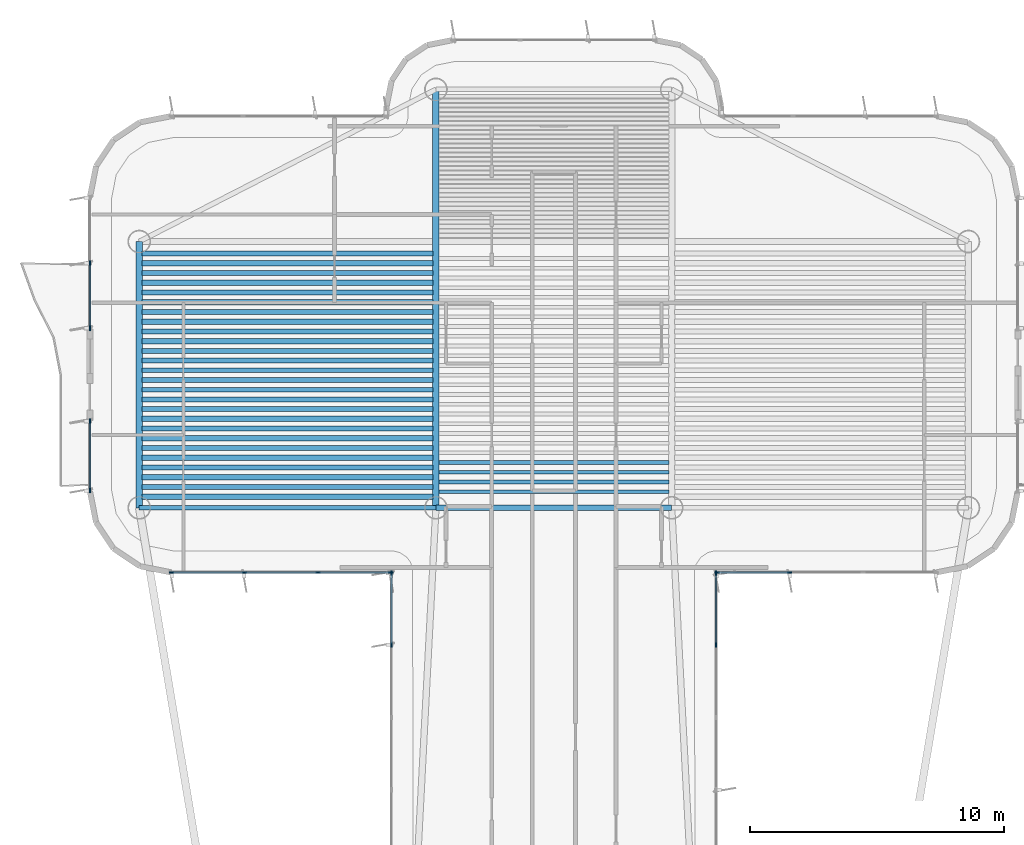
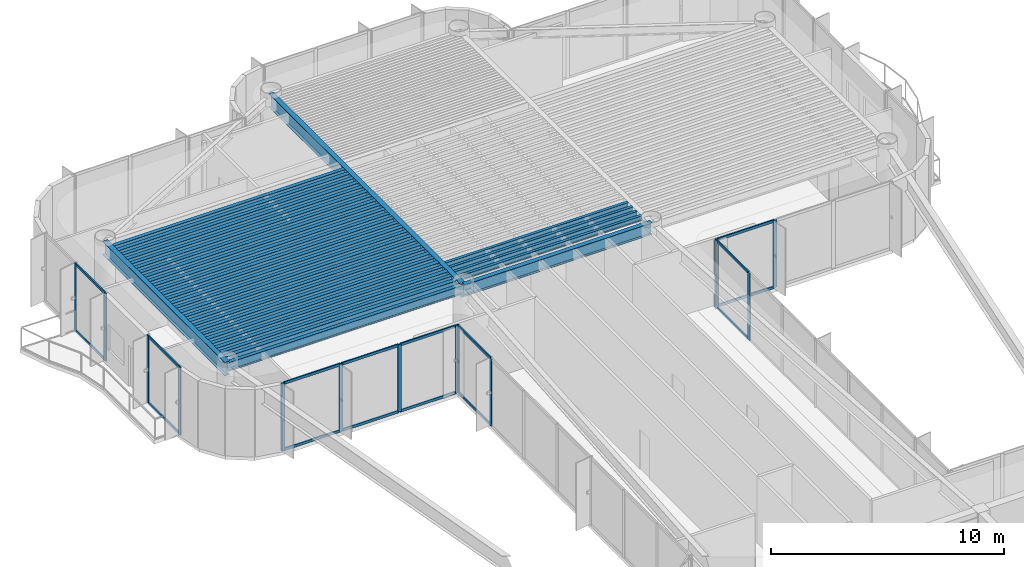
# One storey, part 5 of 15: 34 beams, 30 members, 6 elements without a shape of their own.
"""IFC4 building model written with IfcOpenShell, lengths in metres."""

from ifc_helpers import new_model, si_unit, direction, frame, origin, origin_2d, place, context, subcontext, project, spatial, rectangle, i_section, extrude, source, transform, mapped, material, layer, layer_set, material_profile, profile_set, type_object, element, aggregate, save


model = new_model("IFC4")

# Units and contexts
model_context = context("Model", 3, precision=1e-05, world=origin(), true_north=direction((0.0, 1.0)))
body_context = subcontext(model_context, "Body", "Model", "MODEL_VIEW")
ifc_project = project(units=[si_unit("LENGTHUNIT", "METRE"), si_unit("AREAUNIT", "SQUARE_METRE"), si_unit("VOLUMEUNIT", "CUBIC_METRE"), si_unit("PLANEANGLEUNIT", "RADIAN"), si_unit("MASSUNIT", "GRAM", prefix="KILO")], contexts=[model_context])

# Site, building, storey
site_placement = place(None, origin())
site = spatial("IfcSite", under=ifc_project, at=site_placement, CompositionType="ELEMENT")
building_placement = place(site_placement, origin())
building = spatial("IfcBuilding", under=site, at=building_placement, Name="Brelvock Crest Care Tower", CompositionType="ELEMENT")
storey_placement = place(building_placement, frame((0.0, 0.0, 272.159912109375)))
storey = spatial("IfcBuildingStorey", under=building, at=storey_placement, Name="L69", CompositionType="ELEMENT", Elevation=272.159912109375)

# Beams
ifc_material_1 = material(Name="Steel Grade 350", Category="steel")
ifc_material_profile_1 = material_profile(ifc_material_1, i_section(OverallWidth=0.25, OverallDepth=0.699951171875, WebThickness=0.011962890625, FlangeThickness=0.02001953125, at=origin_2d()), Name="700WB150")
ifc_profile_set_1 = profile_set([ifc_material_profile_1], Name="Steel Grade 350")
beam_type_1 = type_object("IfcBeamType", Name="BM-G4", PredefinedType="BEAM", material=ifc_profile_set_1)
shared_shape_1 = source(origin(), body_context, "Body", "SweptSolid", [
    extrude(i_section(OverallWidth=0.25, OverallDepth=0.699951171875, WebThickness=0.011962890625, FlangeThickness=0.02001953125, at=origin_2d()), origin(), (0.0, 0.0, 1.0), 10.5),
])
beam_1_placement = place(storey_placement, frame((19.64990234375, 43.949951171875, 3.18017578125), z_axis=(0.0, 1.0, 0.0), x_axis=(-1.0, 0.0, 0.0)))
element("IfcBeam", 1, at=beam_1_placement, inside=storey, type_object=beam_type_1, Name="BM-TWR-L69-01", PredefinedType="BEAM", context=body_context, shape_type="MappedRepresentation", body=[
    mapped(shared_shape_1, transform((0.0, 0.0, 0.0), x_axis=(1.0, 0.0, 0.0), y_axis=(0.0, 1.0, 0.0), z_axis=(0.0, 0.0, 1.0), scale=1.0)),
])
ifc_material_profile_2 = material_profile(ifc_material_1, i_section(OverallWidth=0.22900390625, OverallDepth=0.612060546875, WebThickness=0.011962890625, FlangeThickness=0.01953125, FilletRadius=0.013916015625, at=origin_2d()), Name="610UB125")
ifc_profile_set_2 = profile_set([ifc_material_profile_2], Name="Steel Grade 350")
beam_type_2 = type_object("IfcBeamType", Name="BM-G1", PredefinedType="BEAM", material=ifc_profile_set_2)
shared_shape_2 = source(origin(), body_context, "Body", "SweptSolid", [
    extrude(i_section(OverallWidth=0.22900390625, OverallDepth=0.612060546875, WebThickness=0.011962890625, FlangeThickness=0.01953125, FilletRadius=0.013916015625, at=origin_2d()), origin(), (0.0, 0.0, 1.0), 9.2998046875),
])
beam_2_placement = place(storey_placement, frame((31.35009765625, 43.949951171875, 3.22412109375), z_axis=(1.0, 0.0, 0.0), x_axis=(0.0, 1.0, 0.0)))
element("IfcBeam", 2, at=beam_2_placement, inside=storey, type_object=beam_type_2, Name="BM-TWR-L69-05", PredefinedType="BEAM", context=body_context, shape_type="MappedRepresentation", body=[
    mapped(shared_shape_2, transform((0.0, 0.0, 0.0), x_axis=(1.0, 0.0, 0.0), y_axis=(0.0, 1.0, 0.0), z_axis=(0.0, 0.0, 1.0), scale=1.0)),
])
ifc_material_profile_3 = material_profile(ifc_material_1, i_section(OverallWidth=0.14599609375, OverallDepth=0.256103515625, WebThickness=0.00634765625, FlangeThickness=0.010986328125, FilletRadius=0.0087890625, at=origin_2d()), Name="250UB37.3")
ifc_profile_set_3 = profile_set([ifc_material_profile_3], Name="Steel Grade 350")
beam_type_3 = type_object("IfcBeamType", Name="BM-J3", PredefinedType="JOIST", material=ifc_profile_set_3)
shared_shape_3 = source(origin(), body_context, "Body", "SweptSolid", [
    extrude(i_section(OverallWidth=0.14599609375, OverallDepth=0.256103515625, WebThickness=0.00634765625, FlangeThickness=0.010986328125, FilletRadius=0.0087890625, at=origin_2d()), origin(), (0.0, 0.0, 1.0), 9.06982421875),
])
for number, where, z_axis, x_axis, name in (
    (3, (31.465087890625, 44.58251953125, 3.402099609375), (1.0, 0.0, 0.0), (0.0, 1.0, 0.0), "BM-JH-L69-1"),
    (4, (31.465087890625, 44.9658203125, 3.402099609375), (1.0, 0.0, 0.0), (0.0, 1.0, 0.0), "BM-JH-L69-2"),
    (5, (31.465087890625, 45.34912109375, 3.402099609375), (1.0, 0.0, 0.0), (0.0, 1.0, 0.0), "BM-JH-L69-3"),
    (6, (31.465087890625, 45.732421875, 3.402099609375), (1.0, 0.0, 0.0), (0.0, 1.0, 0.0), "BM-JH-L69-4"),
):
    element("IfcBeam", number, at=place(storey_placement, frame(where, z_axis=z_axis, x_axis=x_axis)), inside=storey, type_object=beam_type_3, Name=name, PredefinedType="JOIST", context=body_context, shape_type="MappedRepresentation", body=[
        mapped(shared_shape_3, transform((0.0, 0.0, 0.0), x_axis=(1.0, 0.0, 0.0), y_axis=(0.0, 1.0, 0.0), z_axis=(0.0, 0.0, 1.0), scale=1.0)),
    ])
ifc_material_profile_4 = material_profile(ifc_material_1, i_section(OverallWidth=0.19091796875, OverallDepth=0.4599609375, WebThickness=0.010009765625, FlangeThickness=0.01611328125, FilletRadius=0.011474609375, at=origin_2d()), Name="460UB82.1")
ifc_profile_set_4 = profile_set([ifc_material_profile_4], Name="Steel Grade 350")
beam_type_4 = type_object("IfcBeamType", Name="BM-G3", PredefinedType="BEAM", material=ifc_profile_set_4)
shared_shape_4 = source(origin(), body_context, "Body", "SweptSolid", [
    extrude(i_section(OverallWidth=0.19091796875, OverallDepth=0.4599609375, WebThickness=0.010009765625, FlangeThickness=0.01611328125, FilletRadius=0.011474609375, at=origin_2d()), origin(), (0.0, 0.0, 1.0), 11.47021484375),
])
for number, where, z_axis, x_axis, name in (
    (7, (19.764892578125, 44.7744140625, 3.300048828125), (1.0, 0.0, 0.0), (0.0, 1.0, 0.0), "BM-JW-L69-2"),
    (8, (19.764892578125, 45.540771484375, 3.300048828125), (1.0, 0.0, 0.0), (0.0, 1.0, 0.0), "BM-JW-L69-4"),
    (9, (19.764892578125, 46.307373046875, 3.300048828125), (1.0, 0.0, 0.0), (0.0, 1.0, 0.0), "BM-JW-L69-6"),
    (10, (19.764892578125, 47.07373046875, 3.300048828125), (1.0, 0.0, 0.0), (0.0, 1.0, 0.0), "BM-JW-L69-8"),
    (11, (19.764892578125, 47.84033203125, 3.300048828125), (1.0, 0.0, 0.0), (0.0, 1.0, 0.0), "BM-JW-L69-10"),
    (12, (19.764892578125, 48.606689453125, 3.300048828125), (1.0, 0.0, 0.0), (0.0, 1.0, 0.0), "BM-JW-L69-12"),
    (13, (19.764892578125, 49.373291015625, 3.300048828125), (1.0, 0.0, 0.0), (0.0, 1.0, 0.0), "BM-JW-L69-14"),
    (14, (19.764892578125, 50.139892578125, 3.300048828125), (1.0, 0.0, 0.0), (0.0, 1.0, 0.0), "BM-JW-L69-16"),
    (15, (19.764892578125, 50.90625, 3.300048828125), (1.0, 0.0, 0.0), (0.0, 1.0, 0.0), "BM-JW-L69-18"),
    (16, (19.764892578125, 51.6728515625, 3.300048828125), (1.0, 0.0, 0.0), (0.0, 1.0, 0.0), "BM-JW-L69-20"),
    (17, (19.764892578125, 52.439208984375, 3.300048828125), (1.0, 0.0, 0.0), (0.0, 1.0, 0.0), "BM-JW-L69-22"),
    (18, (19.764892578125, 53.205810546875, 3.300048828125), (1.0, 0.0, 0.0), (0.0, 1.0, 0.0), "BM-JW-L69-24"),
    (19, (19.764892578125, 53.972412109375, 3.300048828125), (1.0, 0.0, 0.0), (0.0, 1.0, 0.0), "BM-JW-L69-26"),
):
    element("IfcBeam", number, at=place(storey_placement, frame(where, z_axis=z_axis, x_axis=x_axis)), inside=storey, type_object=beam_type_4, Name=name, PredefinedType="BEAM", context=body_context, shape_type="MappedRepresentation", body=[
        mapped(shared_shape_4, transform((0.0, 0.0, 0.0), x_axis=(1.0, 0.0, 0.0), y_axis=(0.0, 1.0, 0.0), z_axis=(0.0, 0.0, 1.0), scale=1.0)),
    ])
ifc_material_profile_5 = material_profile(ifc_material_1, i_section(OverallWidth=0.208984375, OverallDepth=0.532958984375, WebThickness=0.01025390625, FlangeThickness=0.015625, FilletRadius=0.013916015625, at=origin_2d()), Name="530UB92.4")
ifc_profile_set_5 = profile_set([ifc_material_profile_5], Name="Steel Grade 350")
beam_type_5 = type_object("IfcBeamType", Name="BM-G2", PredefinedType="BEAM", material=ifc_profile_set_5)
shared_shape_5 = source(origin(), body_context, "Body", "SweptSolid", [
    extrude(i_section(OverallWidth=0.208984375, OverallDepth=0.532958984375, WebThickness=0.01025390625, FlangeThickness=0.015625, FilletRadius=0.013916015625, at=origin_2d()), origin(), (0.0, 0.0, 1.0), 11.47021484375),
])
for number, where, z_axis, x_axis, name in (
    (20, (19.764892578125, 44.39111328125, 3.263671875), (1.0, 0.0, 0.0), (0.0, 1.0, 0.0), "BM-JW-L69-1"),
    (21, (19.764892578125, 45.157470703125, 3.263671875), (1.0, 0.0, 0.0), (0.0, 1.0, 0.0), "BM-JW-L69-3"),
    (22, (19.764892578125, 45.924072265625, 3.263671875), (1.0, 0.0, 0.0), (0.0, 1.0, 0.0), "BM-JW-L69-5"),
    (23, (19.764892578125, 46.6904296875, 3.263671875), (1.0, 0.0, 0.0), (0.0, 1.0, 0.0), "BM-JW-L69-7"),
    (24, (19.764892578125, 47.45703125, 3.263671875), (1.0, 0.0, 0.0), (0.0, 1.0, 0.0), "BM-JW-L69-9"),
    (25, (19.764892578125, 48.223388671875, 3.263671875), (1.0, 0.0, 0.0), (0.0, 1.0, 0.0), "BM-JW-L69-11"),
    (26, (19.764892578125, 48.989990234375, 3.263671875), (1.0, 0.0, 0.0), (0.0, 1.0, 0.0), "BM-JW-L69-13"),
    (27, (19.764892578125, 49.756591796875, 3.263671875), (1.0, 0.0, 0.0), (0.0, 1.0, 0.0), "BM-JW-L69-15"),
    (28, (19.764892578125, 50.52294921875, 3.263671875), (1.0, 0.0, 0.0), (0.0, 1.0, 0.0), "BM-JW-L69-17"),
    (29, (19.764892578125, 51.28955078125, 3.263671875), (1.0, 0.0, 0.0), (0.0, 1.0, 0.0), "BM-JW-L69-19"),
    (30, (19.764892578125, 52.055908203125, 3.263671875), (1.0, 0.0, 0.0), (0.0, 1.0, 0.0), "BM-JW-L69-21"),
    (31, (19.764892578125, 52.822509765625, 3.263671875), (1.0, 0.0, 0.0), (0.0, 1.0, 0.0), "BM-JW-L69-23"),
    (32, (19.764892578125, 53.589111328125, 3.263671875), (1.0, 0.0, 0.0), (0.0, 1.0, 0.0), "BM-JW-L69-25"),
):
    element("IfcBeam", number, at=place(storey_placement, frame(where, z_axis=z_axis, x_axis=x_axis)), inside=storey, type_object=beam_type_5, Name=name, PredefinedType="BEAM", context=body_context, shape_type="MappedRepresentation", body=[
        mapped(shared_shape_5, transform((0.0, 0.0, 0.0), x_axis=(1.0, 0.0, 0.0), y_axis=(0.0, 1.0, 0.0), z_axis=(0.0, 0.0, 1.0), scale=1.0)),
    ])
ifc_material_profile_6 = material_profile(ifc_material_1, i_section(OverallWidth=0.19091796875, OverallDepth=0.4599609375, WebThickness=0.010009765625, FlangeThickness=0.01611328125, FilletRadius=0.011474609375, at=origin_2d()), Name="460UB82.1")
ifc_profile_set_6 = profile_set([ifc_material_profile_6], Name="Steel Grade 350")
beam_type_6 = type_object("IfcBeamType", Name="BM-SP2", PredefinedType="SPANDREL", material=ifc_profile_set_6)
shared_shape_6 = source(origin(), body_context, "Body", "SweptSolid", [
    extrude(i_section(OverallWidth=0.19091796875, OverallDepth=0.4599609375, WebThickness=0.010009765625, FlangeThickness=0.01611328125, FilletRadius=0.011474609375, at=origin_2d()), origin(), (0.0, 0.0, 1.0), 11.7001953125),
])
beam_3_placement = place(storey_placement, frame((19.64990234375, 43.949951171875, 3.300048828125), z_axis=(1.0, 0.0, 0.0), x_axis=(0.0, 1.0, 0.0)))
element("IfcBeam", 33, at=beam_3_placement, inside=storey, type_object=beam_type_6, Name="BM-TWR-L69-03", PredefinedType="SPANDREL", context=body_context, shape_type="MappedRepresentation", body=[
    mapped(shared_shape_6, transform((0.0, 0.0, 0.0), x_axis=(1.0, 0.0, 0.0), y_axis=(0.0, 1.0, 0.0), z_axis=(0.0, 0.0, 1.0), scale=1.0)),
])
shared_shape_7 = source(origin(), body_context, "Body", "SweptSolid", [
    extrude(i_section(OverallWidth=0.25, OverallDepth=0.699951171875, WebThickness=0.011962890625, FlangeThickness=0.02001953125, at=origin_2d()), origin(), (0.0, 0.0, 1.0), 16.5),
])
beam_4_placement = place(storey_placement, frame((31.35009765625, 43.949951171875, 3.18017578125), z_axis=(0.0, 1.0, 0.0), x_axis=(-1.0, 0.0, 0.0)))
element("IfcBeam", 34, at=beam_4_placement, inside=storey, type_object=beam_type_1, Name="BM-TWR-L69-09", PredefinedType="BEAM", context=body_context, shape_type="MappedRepresentation", body=[
    mapped(shared_shape_7, transform((0.0, 0.0, 0.0), x_axis=(1.0, 0.0, 0.0), y_axis=(0.0, 1.0, 0.0), z_axis=(0.0, 0.0, 1.0), scale=1.0)),
])

# Curtain wall, members
ifc_material_2 = material(Name="Dark Glass Double Glazed Low-E", Category="glass")
ifc_layer = layer(ifc_material_2, 0.239990234375, Name="CWS-5")
ifc_layer_set = layer_set([ifc_layer], Name="Dark Glass Double Glazed Low-E")
curtain_wall_type = type_object("IfcCurtainWallType", Name="CWS-5", PredefinedType="NOTDEFINED", material=ifc_layer_set)
curtain_wall_1_placement = place(storey_placement, origin())
curtain_wall_1 = element("IfcCurtainWall", 35, at=curtain_wall_1_placement, inside=storey, type_object=curtain_wall_type, Name="L69 Curtain Wall E11", PredefinedType="NOTDEFINED")
ifc_material_3 = material(Name="Aluminium 6063-T6", Category="aluminium")
ifc_material_profile_7 = material_profile(ifc_material_3, rectangle(XDim=0.06005859375, YDim=0.179931640625, at=origin_2d()), Name="ALU60x180")
ifc_profile_set_7 = profile_set([ifc_material_profile_7], Name="Aluminium 6063-T6")
member_type_1 = type_object("IfcMemberType", Name="CWM-2", PredefinedType="MULLION", material=ifc_profile_set_7)
shared_shape_8 = source(origin(), body_context, "Body", "SweptSolid", [
    extrude(rectangle(XDim=0.06005859375, YDim=0.179931640625, at=origin_2d()), origin(), (0.0, 0.0, 1.0), 3.530029296875),
])
member_1_placement = place(storey_placement, frame((29.60009765625, 38.54296875, 0.0), z_axis=(0.0, 0.0, 1.0), x_axis=(-1.0, 0.0, 0.0)))
member_1 = element("IfcMember", 36, at=member_1_placement, type_object=member_type_1, Name="CW-5 mullion 7", PredefinedType="MULLION", context=body_context, shape_type="MappedRepresentation", body=[
    mapped(shared_shape_8, transform((0.0, 0.0, 0.0), x_axis=(1.0, 0.0, 0.0), y_axis=(0.0, 1.0, 0.0), z_axis=(0.0, 0.0, 1.0), scale=1.0)),
])
member_2_placement = place(storey_placement, frame((29.60009765625, 41.3701171875, 0.0), z_axis=(0.0, 0.0, 1.0), x_axis=(-1.0, 0.0, 0.0)))
member_2 = element("IfcMember", 37, at=member_2_placement, type_object=member_type_1, Name="CW-5 mullion 8", PredefinedType="MULLION", context=body_context, shape_type="MappedRepresentation", body=[
    mapped(shared_shape_8, transform((0.0, 0.0, 0.0), x_axis=(1.0, 0.0, 0.0), y_axis=(0.0, 1.0, 0.0), z_axis=(0.0, 0.0, 1.0), scale=1.0)),
])

curtain_wall_2_placement = place(storey_placement, origin())
curtain_wall_2 = element("IfcCurtainWall", 38, at=curtain_wall_2_placement, inside=storey, type_object=curtain_wall_type, Name="L69 Curtain Wall E12", PredefinedType="NOTDEFINED")
member_3_placement = place(storey_placement, frame((29.570068359375, 41.39990234375, 0.0), z_axis=(0.0, 0.0, 1.0), x_axis=(0.0, -1.0, 0.0)))
member_3 = element("IfcMember", 39, at=member_3_placement, type_object=member_type_1, Name="CW-5 mullion 1", PredefinedType="MULLION", context=body_context, shape_type="MappedRepresentation", body=[
    mapped(shared_shape_8, transform((0.0, 0.0, 0.0), x_axis=(1.0, 0.0, 0.0), y_axis=(0.0, 1.0, 0.0), z_axis=(0.0, 0.0, 1.0), scale=1.0)),
])
member_4_placement = place(storey_placement, frame((26.699951171875, 41.39990234375, 0.0), z_axis=(0.0, 0.0, 1.0), x_axis=(0.0, -1.0, 0.0)))
member_4 = element("IfcMember", 40, at=member_4_placement, type_object=member_type_1, Name="CW-5 mullion 2", PredefinedType="MULLION", context=body_context, shape_type="MappedRepresentation", body=[
    mapped(shared_shape_8, transform((0.0, 0.0, 0.0), x_axis=(1.0, 0.0, 0.0), y_axis=(0.0, 1.0, 0.0), z_axis=(0.0, 0.0, 1.0), scale=1.0)),
])
member_5_placement = place(storey_placement, frame((23.800048828125, 41.39990234375, 0.0), z_axis=(0.0, 0.0, 1.0), x_axis=(0.0, -1.0, 0.0)))
member_5 = element("IfcMember", 41, at=member_5_placement, type_object=member_type_1, Name="CW-5 mullion 3", PredefinedType="MULLION", context=body_context, shape_type="MappedRepresentation", body=[
    mapped(shared_shape_8, transform((0.0, 0.0, 0.0), x_axis=(1.0, 0.0, 0.0), y_axis=(0.0, 1.0, 0.0), z_axis=(0.0, 0.0, 1.0), scale=1.0)),
])
member_6_placement = place(storey_placement, frame((20.929931640625, 41.39990234375, 0.0), z_axis=(0.0, 0.0, 1.0), x_axis=(0.0, -1.0, 0.0)))
member_6 = element("IfcMember", 42, at=member_6_placement, type_object=member_type_1, Name="CW-5 mullion 4", PredefinedType="MULLION", context=body_context, shape_type="MappedRepresentation", body=[
    mapped(shared_shape_8, transform((0.0, 0.0, 0.0), x_axis=(1.0, 0.0, 0.0), y_axis=(0.0, 1.0, 0.0), z_axis=(0.0, 0.0, 1.0), scale=1.0)),
])

curtain_wall_3_placement = place(storey_placement, origin())
curtain_wall_3 = element("IfcCurtainWall", 43, at=curtain_wall_3_placement, inside=storey, type_object=curtain_wall_type, Name="L69 Curtain Wall E17A", PredefinedType="NOTDEFINED")
member_7_placement = place(storey_placement, frame((17.699951171875, 44.6298828125, 0.0), z_axis=(0.0, 0.0, 1.0), x_axis=(-1.0, 0.0, 0.0)))
member_7 = element("IfcMember", 44, at=member_7_placement, type_object=member_type_1, Name="CW-5 mullion 1", PredefinedType="MULLION", context=body_context, shape_type="MappedRepresentation", body=[
    mapped(shared_shape_8, transform((0.0, 0.0, 0.0), x_axis=(1.0, 0.0, 0.0), y_axis=(0.0, 1.0, 0.0), z_axis=(0.0, 0.0, 1.0), scale=1.0)),
])
member_8_placement = place(storey_placement, frame((17.699951171875, 47.3701171875, 0.0), z_axis=(0.0, 0.0, 1.0), x_axis=(-1.0, 0.0, 0.0)))
member_8 = element("IfcMember", 45, at=member_8_placement, type_object=member_type_1, Name="CW-5 mullion 2", PredefinedType="MULLION", context=body_context, shape_type="MappedRepresentation", body=[
    mapped(shared_shape_8, transform((0.0, 0.0, 0.0), x_axis=(1.0, 0.0, 0.0), y_axis=(0.0, 1.0, 0.0), z_axis=(0.0, 0.0, 1.0), scale=1.0)),
])

curtain_wall_4_placement = place(storey_placement, origin())
curtain_wall_4 = element("IfcCurtainWall", 46, at=curtain_wall_4_placement, inside=storey, type_object=curtain_wall_type, Name="L69 Curtain Wall E17B", PredefinedType="NOTDEFINED")
member_9_placement = place(storey_placement, frame((17.699951171875, 51.030029296875, 0.0), z_axis=(0.0, 0.0, 1.0), x_axis=(-1.0, 0.0, 0.0)))
member_9 = element("IfcMember", 47, at=member_9_placement, type_object=member_type_1, Name="CW-5 mullion 1", PredefinedType="MULLION", context=body_context, shape_type="MappedRepresentation", body=[
    mapped(shared_shape_8, transform((0.0, 0.0, 0.0), x_axis=(1.0, 0.0, 0.0), y_axis=(0.0, 1.0, 0.0), z_axis=(0.0, 0.0, 1.0), scale=1.0)),
])
member_10_placement = place(storey_placement, frame((17.699951171875, 53.60009765625, 0.0), z_axis=(0.0, 0.0, 1.0), x_axis=(-1.0, 0.0, 0.0)))
member_10 = element("IfcMember", 48, at=member_10_placement, type_object=member_type_1, Name="CW-5 mullion 2", PredefinedType="MULLION", context=body_context, shape_type="MappedRepresentation", body=[
    mapped(shared_shape_8, transform((0.0, 0.0, 0.0), x_axis=(1.0, 0.0, 0.0), y_axis=(0.0, 1.0, 0.0), z_axis=(0.0, 0.0, 1.0), scale=1.0)),
])

curtain_wall_5_placement = place(storey_placement, origin())
curtain_wall_5 = element("IfcCurtainWall", 49, at=curtain_wall_5_placement, inside=storey, type_object=curtain_wall_type, Name="L69 Curtain Wall E44", PredefinedType="NOTDEFINED")
member_11_placement = place(storey_placement, frame((45.300048828125, 41.39990234375, 0.0), z_axis=(0.0, 0.0, 1.0), x_axis=(0.0, -1.0, 0.0)))
member_11 = element("IfcMember", 50, at=member_11_placement, type_object=member_type_1, Name="CW-5 mullion 3", PredefinedType="MULLION", context=body_context, shape_type="MappedRepresentation", body=[
    mapped(shared_shape_8, transform((0.0, 0.0, 0.0), x_axis=(1.0, 0.0, 0.0), y_axis=(0.0, 1.0, 0.0), z_axis=(0.0, 0.0, 1.0), scale=1.0)),
])
member_12_placement = place(storey_placement, frame((42.429931640625, 41.39990234375, 0.0), z_axis=(0.0, 0.0, 1.0), x_axis=(0.0, -1.0, 0.0)))
member_12 = element("IfcMember", 51, at=member_12_placement, type_object=member_type_1, Name="CW-5 mullion 4", PredefinedType="MULLION", context=body_context, shape_type="MappedRepresentation", body=[
    mapped(shared_shape_8, transform((0.0, 0.0, 0.0), x_axis=(1.0, 0.0, 0.0), y_axis=(0.0, 1.0, 0.0), z_axis=(0.0, 0.0, 1.0), scale=1.0)),
])

curtain_wall_6_placement = place(storey_placement, origin())
curtain_wall_6 = element("IfcCurtainWall", 52, at=curtain_wall_6_placement, inside=storey, type_object=curtain_wall_type, Name="L69 Curtain Wall E45", PredefinedType="NOTDEFINED")
member_13_placement = place(storey_placement, frame((42.39990234375, 41.3701171875, 0.0), z_axis=(0.0, 0.0, 1.0), x_axis=(1.0, 0.0, 0.0)))
member_13 = element("IfcMember", 53, at=member_13_placement, type_object=member_type_1, Name="CW-5 mullion 1", PredefinedType="MULLION", context=body_context, shape_type="MappedRepresentation", body=[
    mapped(shared_shape_8, transform((0.0, 0.0, 0.0), x_axis=(1.0, 0.0, 0.0), y_axis=(0.0, 1.0, 0.0), z_axis=(0.0, 0.0, 1.0), scale=1.0)),
])
member_14_placement = place(storey_placement, frame((42.39990234375, 38.54296875, 0.0), z_axis=(0.0, 0.0, 1.0), x_axis=(1.0, 0.0, 0.0)))
member_14 = element("IfcMember", 54, at=member_14_placement, type_object=member_type_1, Name="CW-5 mullion 2", PredefinedType="MULLION", context=body_context, shape_type="MappedRepresentation", body=[
    mapped(shared_shape_8, transform((0.0, 0.0, 0.0), x_axis=(1.0, 0.0, 0.0), y_axis=(0.0, 1.0, 0.0), z_axis=(0.0, 0.0, 1.0), scale=1.0)),
])

# Member
ifc_material_profile_8 = material_profile(ifc_material_3, rectangle(XDim=0.06005859375, YDim=0.139892578125, at=origin_2d()), Name="ALU60x140")
ifc_profile_set_8 = profile_set([ifc_material_profile_8], Name="Aluminium 6063-T6")
member_type_2 = type_object("IfcMemberType", Name="CWT-2", PredefinedType="USERDEFINED", material=ifc_profile_set_8)
shared_shape_9 = source(origin(), body_context, "Body", "SweptSolid", [
    extrude(rectangle(XDim=0.06005859375, YDim=0.139892578125, at=origin_2d()), origin(), (0.0, 0.0, 1.0), 2.510009765625),
])
member_15_placement = place(storey_placement, frame((17.699951171875, 51.06005859375, 0.030029296875), z_axis=(0.0, 1.0, 0.0), x_axis=(-1.0, 0.0, 0.0)))
member_15 = element("IfcMember", 55, at=member_15_placement, type_object=member_type_2, Name="CW-5 transom 1.1", ObjectType="TRANSOM", PredefinedType="USERDEFINED", context=body_context, shape_type="MappedRepresentation", body=[
    mapped(shared_shape_9, transform((0.0, 0.0, 0.0), x_axis=(1.0, 0.0, 0.0), y_axis=(0.0, 1.0, 0.0), z_axis=(0.0, 0.0, 1.0), scale=1.0)),
])

member_16_placement = place(storey_placement, frame((17.699951171875, 51.06005859375, 3.5), z_axis=(0.0, 1.0, 0.0), x_axis=(-1.0, 0.0, 0.0)))
member_16 = element("IfcMember", 56, at=member_16_placement, type_object=member_type_2, Name="CW-5 transom 1.2", ObjectType="TRANSOM", PredefinedType="USERDEFINED", context=body_context, shape_type="MappedRepresentation", body=[
    mapped(shared_shape_9, transform((0.0, 0.0, 0.0), x_axis=(1.0, 0.0, 0.0), y_axis=(0.0, 1.0, 0.0), z_axis=(0.0, 0.0, 1.0), scale=1.0)),
])

aggregate(curtain_wall_4, [member_9, member_10, member_15, member_16])

shared_shape_10 = source(origin(), body_context, "Body", "SweptSolid", [
    extrude(rectangle(XDim=0.06005859375, YDim=0.139892578125, at=origin_2d()), origin(), (0.0, 0.0, 1.0), 2.767333984375),
])
member_17_placement = place(storey_placement, frame((29.60009765625, 38.57275390625, 0.030029296875), z_axis=(0.0, 1.0, 0.0), x_axis=(-1.0, 0.0, 0.0)))
member_17 = element("IfcMember", 57, at=member_17_placement, type_object=member_type_2, Name="CW-5 transom 7.1", ObjectType="TRANSOM", PredefinedType="USERDEFINED", context=body_context, shape_type="MappedRepresentation", body=[
    mapped(shared_shape_10, transform((0.0, 0.0, 0.0), x_axis=(1.0, 0.0, 0.0), y_axis=(0.0, 1.0, 0.0), z_axis=(0.0, 0.0, 1.0), scale=1.0)),
])

member_18_placement = place(storey_placement, frame((29.60009765625, 38.57275390625, 3.5), z_axis=(0.0, 1.0, 0.0), x_axis=(-1.0, 0.0, 0.0)))
member_18 = element("IfcMember", 58, at=member_18_placement, type_object=member_type_2, Name="CW-5 transom 7.2", ObjectType="TRANSOM", PredefinedType="USERDEFINED", context=body_context, shape_type="MappedRepresentation", body=[
    mapped(shared_shape_10, transform((0.0, 0.0, 0.0), x_axis=(1.0, 0.0, 0.0), y_axis=(0.0, 1.0, 0.0), z_axis=(0.0, 0.0, 1.0), scale=1.0)),
])

aggregate(curtain_wall_1, [member_1, member_2, member_17, member_18])

member_19_placement = place(storey_placement, frame((42.39990234375, 41.340087890625, 0.030029296875), z_axis=(0.0, -1.0, 0.0), x_axis=(1.0, 0.0, 0.0)))
member_19 = element("IfcMember", 59, at=member_19_placement, type_object=member_type_2, Name="CW-5 transom 1.1", ObjectType="TRANSOM", PredefinedType="USERDEFINED", context=body_context, shape_type="MappedRepresentation", body=[
    mapped(shared_shape_10, transform((0.0, 0.0, 0.0), x_axis=(1.0, 0.0, 0.0), y_axis=(0.0, 1.0, 0.0), z_axis=(0.0, 0.0, 1.0), scale=1.0)),
])

member_20_placement = place(storey_placement, frame((42.39990234375, 41.340087890625, 3.5), z_axis=(0.0, -1.0, 0.0), x_axis=(1.0, 0.0, 0.0)))
member_20 = element("IfcMember", 60, at=member_20_placement, type_object=member_type_2, Name="CW-5 transom 1.2", ObjectType="TRANSOM", PredefinedType="USERDEFINED", context=body_context, shape_type="MappedRepresentation", body=[
    mapped(shared_shape_10, transform((0.0, 0.0, 0.0), x_axis=(1.0, 0.0, 0.0), y_axis=(0.0, 1.0, 0.0), z_axis=(0.0, 0.0, 1.0), scale=1.0)),
])

aggregate(curtain_wall_6, [member_13, member_14, member_19, member_20])

shared_shape_11 = source(origin(), body_context, "Body", "SweptSolid", [
    extrude(rectangle(XDim=0.06005859375, YDim=0.139892578125, at=origin_2d()), origin(), (0.0, 0.0, 1.0), 2.81005859375),
])
member_21_placement = place(storey_placement, frame((29.5400390625, 41.39990234375, 0.030029296875), z_axis=(-1.0, 0.0, 0.0), x_axis=(0.0, -1.0, 0.0)))
member_21 = element("IfcMember", 61, at=member_21_placement, type_object=member_type_2, Name="CW-5 transom 1.1", ObjectType="TRANSOM", PredefinedType="USERDEFINED", context=body_context, shape_type="MappedRepresentation", body=[
    mapped(shared_shape_11, transform((0.0, 0.0, 0.0), x_axis=(1.0, 0.0, 0.0), y_axis=(0.0, 1.0, 0.0), z_axis=(0.0, 0.0, 1.0), scale=1.0)),
])

member_22_placement = place(storey_placement, frame((29.5400390625, 41.39990234375, 3.5), z_axis=(-1.0, 0.0, 0.0), x_axis=(0.0, -1.0, 0.0)))
member_22 = element("IfcMember", 62, at=member_22_placement, type_object=member_type_2, Name="CW-5 transom 1.2", ObjectType="TRANSOM", PredefinedType="USERDEFINED", context=body_context, shape_type="MappedRepresentation", body=[
    mapped(shared_shape_11, transform((0.0, 0.0, 0.0), x_axis=(1.0, 0.0, 0.0), y_axis=(0.0, 1.0, 0.0), z_axis=(0.0, 0.0, 1.0), scale=1.0)),
])

member_23_placement = place(storey_placement, frame((23.77001953125, 41.39990234375, 0.030029296875), z_axis=(-1.0, 0.0, 0.0), x_axis=(0.0, -1.0, 0.0)))
member_23 = element("IfcMember", 63, at=member_23_placement, type_object=member_type_2, Name="CW-5 transom 3.1", ObjectType="TRANSOM", PredefinedType="USERDEFINED", context=body_context, shape_type="MappedRepresentation", body=[
    mapped(shared_shape_11, transform((0.0, 0.0, 0.0), x_axis=(1.0, 0.0, 0.0), y_axis=(0.0, 1.0, 0.0), z_axis=(0.0, 0.0, 1.0), scale=1.0)),
])

member_24_placement = place(storey_placement, frame((23.77001953125, 41.39990234375, 3.5), z_axis=(-1.0, 0.0, 0.0), x_axis=(0.0, -1.0, 0.0)))
member_24 = element("IfcMember", 64, at=member_24_placement, type_object=member_type_2, Name="CW-5 transom 3.2", ObjectType="TRANSOM", PredefinedType="USERDEFINED", context=body_context, shape_type="MappedRepresentation", body=[
    mapped(shared_shape_11, transform((0.0, 0.0, 0.0), x_axis=(1.0, 0.0, 0.0), y_axis=(0.0, 1.0, 0.0), z_axis=(0.0, 0.0, 1.0), scale=1.0)),
])

member_25_placement = place(storey_placement, frame((45.27001953125, 41.39990234375, 0.030029296875), z_axis=(-1.0, 0.0, 0.0), x_axis=(0.0, -1.0, 0.0)))
member_25 = element("IfcMember", 65, at=member_25_placement, type_object=member_type_2, Name="CW-5 transom 3.1", ObjectType="TRANSOM", PredefinedType="USERDEFINED", context=body_context, shape_type="MappedRepresentation", body=[
    mapped(shared_shape_11, transform((0.0, 0.0, 0.0), x_axis=(1.0, 0.0, 0.0), y_axis=(0.0, 1.0, 0.0), z_axis=(0.0, 0.0, 1.0), scale=1.0)),
])

member_26_placement = place(storey_placement, frame((45.27001953125, 41.39990234375, 3.5), z_axis=(-1.0, 0.0, 0.0), x_axis=(0.0, -1.0, 0.0)))
member_26 = element("IfcMember", 66, at=member_26_placement, type_object=member_type_2, Name="CW-5 transom 3.2", ObjectType="TRANSOM", PredefinedType="USERDEFINED", context=body_context, shape_type="MappedRepresentation", body=[
    mapped(shared_shape_11, transform((0.0, 0.0, 0.0), x_axis=(1.0, 0.0, 0.0), y_axis=(0.0, 1.0, 0.0), z_axis=(0.0, 0.0, 1.0), scale=1.0)),
])

aggregate(curtain_wall_5, [member_11, member_12, member_25, member_26])

shared_shape_12 = source(origin(), body_context, "Body", "SweptSolid", [
    extrude(rectangle(XDim=0.06005859375, YDim=0.139892578125, at=origin_2d()), origin(), (0.0, 0.0, 1.0), 2.83984375),
])
member_27_placement = place(storey_placement, frame((26.669921875, 41.39990234375, 0.030029296875), z_axis=(-1.0, 0.0, 0.0), x_axis=(0.0, -1.0, 0.0)))
member_27 = element("IfcMember", 67, at=member_27_placement, type_object=member_type_2, Name="CW-5 transom 2.1", ObjectType="TRANSOM", PredefinedType="USERDEFINED", context=body_context, shape_type="MappedRepresentation", body=[
    mapped(shared_shape_12, transform((0.0, 0.0, 0.0), x_axis=(1.0, 0.0, 0.0), y_axis=(0.0, 1.0, 0.0), z_axis=(0.0, 0.0, 1.0), scale=1.0)),
])

member_28_placement = place(storey_placement, frame((26.669921875, 41.39990234375, 3.5), z_axis=(-1.0, 0.0, 0.0), x_axis=(0.0, -1.0, 0.0)))
member_28 = element("IfcMember", 68, at=member_28_placement, type_object=member_type_2, Name="CW-5 transom 2.2", ObjectType="TRANSOM", PredefinedType="USERDEFINED", context=body_context, shape_type="MappedRepresentation", body=[
    mapped(shared_shape_12, transform((0.0, 0.0, 0.0), x_axis=(1.0, 0.0, 0.0), y_axis=(0.0, 1.0, 0.0), z_axis=(0.0, 0.0, 1.0), scale=1.0)),
])

aggregate(curtain_wall_2, [member_3, member_4, member_5, member_6, member_21, member_22, member_27, member_28, member_23, member_24])

shared_shape_13 = source(origin(), body_context, "Body", "SweptSolid", [
    extrude(rectangle(XDim=0.06005859375, YDim=0.139892578125, at=origin_2d()), origin(), (0.0, 0.0, 1.0), 2.68017578125),
])
member_29_placement = place(storey_placement, frame((17.699951171875, 44.659912109375, 0.030029296875), z_axis=(0.0, 1.0, 0.0), x_axis=(-1.0, 0.0, 0.0)))
member_29 = element("IfcMember", 69, at=member_29_placement, type_object=member_type_2, Name="CW-5 transom 1.1", ObjectType="TRANSOM", PredefinedType="USERDEFINED", context=body_context, shape_type="MappedRepresentation", body=[
    mapped(shared_shape_13, transform((0.0, 0.0, 0.0), x_axis=(1.0, 0.0, 0.0), y_axis=(0.0, 1.0, 0.0), z_axis=(0.0, 0.0, 1.0), scale=1.0)),
])

member_30_placement = place(storey_placement, frame((17.699951171875, 44.659912109375, 3.5), z_axis=(0.0, 1.0, 0.0), x_axis=(-1.0, 0.0, 0.0)))
member_30 = element("IfcMember", 70, at=member_30_placement, type_object=member_type_2, Name="CW-5 transom 1.2", ObjectType="TRANSOM", PredefinedType="USERDEFINED", context=body_context, shape_type="MappedRepresentation", body=[
    mapped(shared_shape_13, transform((0.0, 0.0, 0.0), x_axis=(1.0, 0.0, 0.0), y_axis=(0.0, 1.0, 0.0), z_axis=(0.0, 0.0, 1.0), scale=1.0)),
])

aggregate(curtain_wall_3, [member_7, member_8, member_29, member_30])

save(model, "model.ifc")
